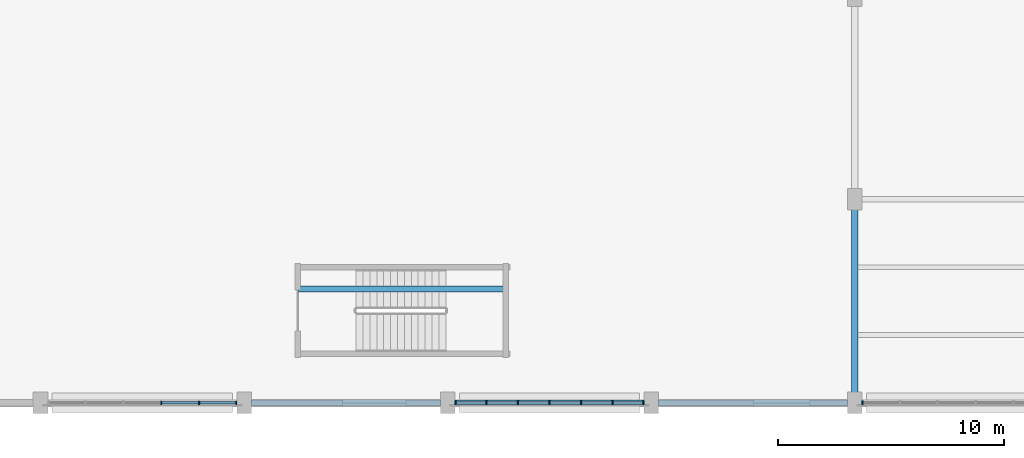
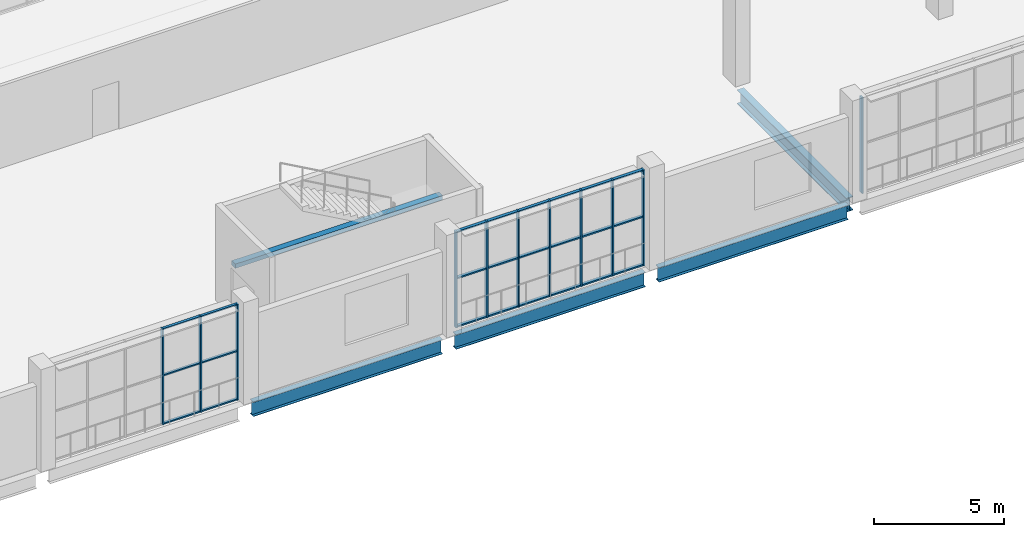
# One storey, part 5 of 179: 35 members, 5 beams, 3 elements without a shape of their own.
"""IFC4 building model written with IfcOpenShell, lengths in metres."""

from ifc_helpers import new_model, si_unit, direction, frame, origin, origin_2d, place, context, subcontext, project, spatial, rectangle, i_section, extrude, material, material_profile, profile_set, type_object, element, aggregate, save


model = new_model("IFC4")

# Units and contexts
model_context = context("Model", 3, precision=1e-05, world=origin(), true_north=direction((0.0, 1.0)))
body_context = subcontext(model_context, "Body", "Model", "MODEL_VIEW")
ifc_project = project(units=[si_unit("LENGTHUNIT", "METRE"), si_unit("AREAUNIT", "SQUARE_METRE"), si_unit("VOLUMEUNIT", "CUBIC_METRE"), si_unit("PLANEANGLEUNIT", "RADIAN"), si_unit("MASSUNIT", "GRAM", prefix="KILO")], contexts=[model_context])

# Site, building, storey
site_placement = place(None, origin())
site = spatial("IfcSite", under=ifc_project, at=site_placement, CompositionType="ELEMENT")
building_placement = place(site_placement, origin())
building = spatial("IfcBuilding", under=site, at=building_placement, Name="Zevraka Park Crest Stadium", CompositionType="ELEMENT")
storey_placement = place(building_placement, frame((0.0, 0.0, 10.199951171875)))
storey = spatial("IfcBuildingStorey", under=building, at=storey_placement, Name="L02", CompositionType="ELEMENT", Elevation=10.199951171875)

# Beams
ifc_material_1 = material(Name="Steel S355", Category="steel")
ifc_material_profile_1 = material_profile(ifc_material_1, i_section(OverallWidth=0.253662109375, OverallDepth=0.68359375, WebThickness=0.012451171875, FlangeThickness=0.01904296875, at=origin_2d()), Name="UKB 686x254x140")
ifc_profile_set_1 = profile_set([ifc_material_profile_1], Name="Steel S355")
beam_type_1 = type_object("IfcBeamType", Name="BG05", PredefinedType="BEAM", material=ifc_profile_set_1)
for number, where, z_axis, x_axis, name in (
    (1, (36.300048828125, 0.0, -0.629638671875), (1.0, 0.0, 0.0), (0.0, 1.0, 0.0), "Wing Girder BG05 L02-56/A"),
    (2, (45.300048828125, 0.0, -0.629638671875), (1.0, 0.0, 0.0), (0.0, 1.0, 0.0), "Wing Girder BG05 L02-67/A"),
    (3, (54.300048828125, 0.0, -0.629638671875), (1.0, 0.0, 0.0), (0.0, 1.0, 0.0), "Wing Girder BG05 L02-78/A"),
):
    element("IfcBeam", number, at=place(storey_placement, frame(where, z_axis=z_axis, x_axis=x_axis)), inside=storey, type_object=beam_type_1, Name=name, PredefinedType="BEAM", context=body_context, shape_type="SweptSolid", body=[
        extrude(i_section(OverallWidth=0.253662109375, OverallDepth=0.68359375, WebThickness=0.012451171875, FlangeThickness=0.01904296875, at=origin_2d()), origin(), (0.0, 0.0, 1.0), 8.39990234375),
    ])
ifc_material_2 = material(Name="Steel S355", Category="steel")
ifc_material_profile_2 = material_profile(ifc_material_2, i_section(OverallWidth=0.300048828125, OverallDepth=0.64990234375, WebThickness=0.01611328125, FlangeThickness=0.031005859375, at=origin_2d()), Name="HEB 650")
ifc_profile_set_2 = profile_set([ifc_material_profile_2], Name="Steel S355")
beam_type_2 = type_object("IfcBeamType", Name="BG07", PredefinedType="BEAM", material=ifc_profile_set_2)
beam_1_placement = place(storey_placement, frame((63.0, 0.300048828125, -0.613037109375), z_axis=(0.0, 1.0, 0.0), x_axis=(-1.0, 0.0, 0.0)))
element("IfcBeam", 4, at=beam_1_placement, inside=storey, type_object=beam_type_2, Name="Wing Girder BG07 L02-8/AB", PredefinedType="BEAM", context=body_context, shape_type="SweptSolid", body=[
    extrude(i_section(OverallWidth=0.300048828125, OverallDepth=0.64990234375, WebThickness=0.01611328125, FlangeThickness=0.031005859375, at=origin_2d()), origin(), (0.0, 0.0, 1.0), 8.39990234375),
])

# Curtain wall, members
ifc_material_3 = material(Name="Anodised architectural aluminium and laminated safety glass", Category="aluminium")
curtain_wall_type_1 = type_object("IfcCurtainWallType", Name="CW28", PredefinedType="NOTDEFINED", material=ifc_material_3)
curtain_wall_1_placement = place(storey_placement, origin())
curtain_wall_1 = element("IfcCurtainWall", 5, at=curtain_wall_1_placement, inside=storey, type_object=curtain_wall_type_1, Name="Wing Curtain Wall CW28 L02-SW-S1-6", PredefinedType="NOTDEFINED")
ifc_material_4 = material(Name="Anodised architectural aluminium", Category="aluminium")
ifc_material_profile_3 = material_profile(ifc_material_4, rectangle(XDim=0.159912109375, YDim=0.06005859375, at=origin_2d()), Name="ALU MULLION 160x60")
ifc_profile_set_3 = profile_set([ifc_material_profile_3], Name="Anodised architectural aluminium")
member_type_1 = type_object("IfcMemberType", Name="CM01", PredefinedType="MULLION", material=ifc_profile_set_3)
member_1_placement = place(storey_placement, frame((35.655029296875, 0.0, 0.0), z_axis=(0.0, 0.0, 1.0), x_axis=(0.0, -1.0, 0.0)))
member_1 = element("IfcMember", 6, at=member_1_placement, type_object=member_type_1, Name="CW28 mullion 1", PredefinedType="MULLION", context=body_context, shape_type="SweptSolid", body=[
    extrude(rectangle(XDim=0.159912109375, YDim=0.06005859375, at=origin_2d()), origin(), (0.0, 0.0, 1.0), 4.5),
])
member_2_placement = place(storey_placement, frame((34.010986328125, 0.0, 0.0), z_axis=(0.0, 0.0, 1.0), x_axis=(0.0, -1.0, 0.0)))
member_2 = element("IfcMember", 7, at=member_2_placement, type_object=member_type_1, Name="CW28 mullion 2", PredefinedType="MULLION", context=body_context, shape_type="SweptSolid", body=[
    extrude(rectangle(XDim=0.159912109375, YDim=0.06005859375, at=origin_2d()), origin(), (0.0, 0.0, 1.0), 4.5),
])
member_3_placement = place(storey_placement, frame((32.3369140625, 0.0, 0.0), z_axis=(0.0, 0.0, 1.0), x_axis=(0.0, -1.0, 0.0)))
member_3 = element("IfcMember", 8, at=member_3_placement, type_object=member_type_1, Name="CW28 mullion 3", PredefinedType="MULLION", context=body_context, shape_type="SweptSolid", body=[
    extrude(rectangle(XDim=0.159912109375, YDim=0.06005859375, at=origin_2d()), origin(), (0.0, 0.0, 1.0), 4.5),
])

# Curtain wall, member
ifc_material_5 = material(Name="Anodised architectural aluminium and laminated safety glass", Category="aluminium")
curtain_wall_type_2 = type_object("IfcCurtainWallType", Name="CW29", PredefinedType="NOTDEFINED", material=ifc_material_5)
curtain_wall_2_placement = place(storey_placement, origin())
curtain_wall_2 = element("IfcCurtainWall", 9, at=curtain_wall_2_placement, inside=storey, type_object=curtain_wall_type_2, Name="Wing Curtain Wall CW29 L02-SW-S1-2", PredefinedType="NOTDEFINED")
ifc_material_6 = material(Name="Anodised architectural aluminium", Category="aluminium")
ifc_material_profile_4 = material_profile(ifc_material_6, rectangle(XDim=0.179931640625, YDim=0.06494140625, at=origin_2d()), Name="ALU MULLION 180x65")
ifc_profile_set_4 = profile_set([ifc_material_profile_4], Name="Anodised architectural aluminium")
member_type_2 = type_object("IfcMemberType", Name="CM02", PredefinedType="MULLION", material=ifc_profile_set_4)
member_4_placement = place(storey_placement, frame((63.347412109375, 0.0, 0.0), z_axis=(0.0, 0.0, 1.0), x_axis=(0.0, -1.0, 0.0)))
member_4 = element("IfcMember", 10, at=member_4_placement, type_object=member_type_2, Name="CW29 mullion 6", PredefinedType="MULLION", context=body_context, shape_type="SweptSolid", body=[
    extrude(rectangle(XDim=0.179931640625, YDim=0.06494140625, at=origin_2d()), origin(), (0.0, 0.0, 1.0), 4.5),
])
aggregate(curtain_wall_2, [member_4])

# Curtain wall, members
ifc_material_7 = material(Name="Anodised architectural aluminium and laminated safety glass", Category="aluminium")
curtain_wall_type_3 = type_object("IfcCurtainWallType", Name="CW26", PredefinedType="NOTDEFINED", material=ifc_material_7)
curtain_wall_3_placement = place(storey_placement, origin())
curtain_wall_3 = element("IfcCurtainWall", 11, at=curtain_wall_3_placement, inside=storey, type_object=curtain_wall_type_3, Name="Wing Curtain Wall CW26 L02-SW-S1-4", PredefinedType="NOTDEFINED")
member_5_placement = place(storey_placement, frame((53.652587890625, 0.0, 0.0), z_axis=(0.0, 0.0, 1.0), x_axis=(0.0, -1.0, 0.0)))
member_5 = element("IfcMember", 12, at=member_5_placement, type_object=member_type_2, Name="CW26 mullion 1", PredefinedType="MULLION", context=body_context, shape_type="SweptSolid", body=[
    extrude(rectangle(XDim=0.179931640625, YDim=0.06494140625, at=origin_2d()), origin(), (0.0, 0.0, 1.0), 4.5),
])
member_6_placement = place(storey_placement, frame((52.2900390625, 0.0, 0.0), z_axis=(0.0, 0.0, 1.0), x_axis=(0.0, -1.0, 0.0)))
member_6 = element("IfcMember", 13, at=member_6_placement, type_object=member_type_2, Name="CW26 mullion 2", PredefinedType="MULLION", context=body_context, shape_type="SweptSolid", body=[
    extrude(rectangle(XDim=0.179931640625, YDim=0.06494140625, at=origin_2d()), origin(), (0.0, 0.0, 1.0), 4.5),
])
member_7_placement = place(storey_placement, frame((50.89501953125, 0.0, 0.0), z_axis=(0.0, 0.0, 1.0), x_axis=(0.0, -1.0, 0.0)))
member_7 = element("IfcMember", 14, at=member_7_placement, type_object=member_type_2, Name="CW26 mullion 3", PredefinedType="MULLION", context=body_context, shape_type="SweptSolid", body=[
    extrude(rectangle(XDim=0.179931640625, YDim=0.06494140625, at=origin_2d()), origin(), (0.0, 0.0, 1.0), 4.5),
])
member_8_placement = place(storey_placement, frame((49.5, 0.0, 0.0), z_axis=(0.0, 0.0, 1.0), x_axis=(0.0, -1.0, 0.0)))
member_8 = element("IfcMember", 15, at=member_8_placement, type_object=member_type_2, Name="CW26 mullion 4", PredefinedType="MULLION", context=body_context, shape_type="SweptSolid", body=[
    extrude(rectangle(XDim=0.179931640625, YDim=0.06494140625, at=origin_2d()), origin(), (0.0, 0.0, 1.0), 4.5),
])
member_9_placement = place(storey_placement, frame((48.10498046875, 0.0, 0.0), z_axis=(0.0, 0.0, 1.0), x_axis=(0.0, -1.0, 0.0)))
member_9 = element("IfcMember", 16, at=member_9_placement, type_object=member_type_2, Name="CW26 mullion 5", PredefinedType="MULLION", context=body_context, shape_type="SweptSolid", body=[
    extrude(rectangle(XDim=0.179931640625, YDim=0.06494140625, at=origin_2d()), origin(), (0.0, 0.0, 1.0), 4.5),
])
member_10_placement = place(storey_placement, frame((46.7099609375, 0.0, 0.0), z_axis=(0.0, 0.0, 1.0), x_axis=(0.0, -1.0, 0.0)))
member_10 = element("IfcMember", 17, at=member_10_placement, type_object=member_type_2, Name="CW26 mullion 6", PredefinedType="MULLION", context=body_context, shape_type="SweptSolid", body=[
    extrude(rectangle(XDim=0.179931640625, YDim=0.06494140625, at=origin_2d()), origin(), (0.0, 0.0, 1.0), 4.5),
])
member_11_placement = place(storey_placement, frame((45.347412109375, 0.0, 0.0), z_axis=(0.0, 0.0, 1.0), x_axis=(0.0, -1.0, 0.0)))
member_11 = element("IfcMember", 18, at=member_11_placement, type_object=member_type_2, Name="CW26 mullion 7", PredefinedType="MULLION", context=body_context, shape_type="SweptSolid", body=[
    extrude(rectangle(XDim=0.179931640625, YDim=0.06494140625, at=origin_2d()), origin(), (0.0, 0.0, 1.0), 4.5),
])

# Member
ifc_material_8 = material(Name="Anodised architectural aluminium", Category="aluminium")
ifc_material_profile_5 = material_profile(ifc_material_8, rectangle(XDim=0.1201171875, YDim=0.06005859375, at=origin_2d()), Name="ALU TRANSOM 120x60")
ifc_profile_set_5 = profile_set([ifc_material_profile_5], Name="Anodised architectural aluminium")
member_type_3 = type_object("IfcMemberType", Name="CT01", PredefinedType="USERDEFINED", material=ifc_profile_set_5)
member_12_placement = place(storey_placement, frame((35.625, 0.0, 0.030029296875), z_axis=(-1.0, 0.0, 0.0), x_axis=(0.0, -1.0, 0.0)))
member_12 = element("IfcMember", 19, at=member_12_placement, type_object=member_type_3, Name="CW28 transom 1.1", ObjectType="TRANSOM", PredefinedType="USERDEFINED", context=body_context, shape_type="SweptSolid", body=[
    extrude(rectangle(XDim=0.1201171875, YDim=0.06005859375, at=origin_2d()), origin(), (0.0, 0.0, 1.0), 1.583984375),
])

member_13_placement = place(storey_placement, frame((35.625, 0.0, 2.300048828125), z_axis=(-1.0, 0.0, 0.0), x_axis=(0.0, -1.0, 0.0)))
member_13 = element("IfcMember", 20, at=member_13_placement, type_object=member_type_3, Name="CW28 transom 1.2", ObjectType="TRANSOM", PredefinedType="USERDEFINED", context=body_context, shape_type="SweptSolid", body=[
    extrude(rectangle(XDim=0.1201171875, YDim=0.06005859375, at=origin_2d()), origin(), (0.0, 0.0, 1.0), 1.583984375),
])

member_14_placement = place(storey_placement, frame((35.625, 0.0, 4.469970703125), z_axis=(-1.0, 0.0, 0.0), x_axis=(0.0, -1.0, 0.0)))
member_14 = element("IfcMember", 21, at=member_14_placement, type_object=member_type_3, Name="CW28 transom 1.3", ObjectType="TRANSOM", PredefinedType="USERDEFINED", context=body_context, shape_type="SweptSolid", body=[
    extrude(rectangle(XDim=0.1201171875, YDim=0.06005859375, at=origin_2d()), origin(), (0.0, 0.0, 1.0), 1.583984375),
])

member_15_placement = place(storey_placement, frame((33.98095703125, 0.0, 0.030029296875), z_axis=(-1.0, 0.0, 0.0), x_axis=(0.0, -1.0, 0.0)))
member_15 = element("IfcMember", 22, at=member_15_placement, type_object=member_type_3, Name="CW28 transom 2.1", ObjectType="TRANSOM", PredefinedType="USERDEFINED", context=body_context, shape_type="SweptSolid", body=[
    extrude(rectangle(XDim=0.1201171875, YDim=0.06005859375, at=origin_2d()), origin(), (0.0, 0.0, 1.0), 1.614013671875),
])

member_16_placement = place(storey_placement, frame((33.98095703125, 0.0, 2.300048828125), z_axis=(-1.0, 0.0, 0.0), x_axis=(0.0, -1.0, 0.0)))
member_16 = element("IfcMember", 23, at=member_16_placement, type_object=member_type_3, Name="CW28 transom 2.2", ObjectType="TRANSOM", PredefinedType="USERDEFINED", context=body_context, shape_type="SweptSolid", body=[
    extrude(rectangle(XDim=0.1201171875, YDim=0.06005859375, at=origin_2d()), origin(), (0.0, 0.0, 1.0), 1.614013671875),
])

member_17_placement = place(storey_placement, frame((33.98095703125, 0.0, 4.469970703125), z_axis=(-1.0, 0.0, 0.0), x_axis=(0.0, -1.0, 0.0)))
member_17 = element("IfcMember", 24, at=member_17_placement, type_object=member_type_3, Name="CW28 transom 2.3", ObjectType="TRANSOM", PredefinedType="USERDEFINED", context=body_context, shape_type="SweptSolid", body=[
    extrude(rectangle(XDim=0.1201171875, YDim=0.06005859375, at=origin_2d()), origin(), (0.0, 0.0, 1.0), 1.614013671875),
])

aggregate(curtain_wall_1, [member_1, member_2, member_3, member_12, member_13, member_14, member_15, member_16, member_17])

ifc_material_9 = material(Name="Anodised architectural aluminium", Category="aluminium")
ifc_material_profile_6 = material_profile(ifc_material_9, rectangle(XDim=0.139892578125, YDim=0.06494140625, at=origin_2d()), Name="ALU TRANSOM 140x65")
ifc_profile_set_6 = profile_set([ifc_material_profile_6], Name="Anodised architectural aluminium")
member_type_4 = type_object("IfcMemberType", Name="CT02", PredefinedType="USERDEFINED", material=ifc_profile_set_6)
member_18_placement = place(storey_placement, frame((53.6201171875, 0.0, 0.032470703125), z_axis=(-1.0, 0.0, 0.0), x_axis=(0.0, -1.0, 0.0)))
member_18 = element("IfcMember", 25, at=member_18_placement, type_object=member_type_4, Name="CW26 transom 1.1", ObjectType="TRANSOM", PredefinedType="USERDEFINED", context=body_context, shape_type="SweptSolid", body=[
    extrude(rectangle(XDim=0.139892578125, YDim=0.06494140625, at=origin_2d()), origin(), (0.0, 0.0, 1.0), 1.297607421875),
])

member_19_placement = place(storey_placement, frame((53.6201171875, 0.0, 2.300048828125), z_axis=(-1.0, 0.0, 0.0), x_axis=(0.0, -1.0, 0.0)))
member_19 = element("IfcMember", 26, at=member_19_placement, type_object=member_type_4, Name="CW26 transom 1.2", ObjectType="TRANSOM", PredefinedType="USERDEFINED", context=body_context, shape_type="SweptSolid", body=[
    extrude(rectangle(XDim=0.139892578125, YDim=0.06494140625, at=origin_2d()), origin(), (0.0, 0.0, 1.0), 1.297607421875),
])

member_20_placement = place(storey_placement, frame((53.6201171875, 0.0, 4.467529296875), z_axis=(-1.0, 0.0, 0.0), x_axis=(0.0, -1.0, 0.0)))
member_20 = element("IfcMember", 27, at=member_20_placement, type_object=member_type_4, Name="CW26 transom 1.3", ObjectType="TRANSOM", PredefinedType="USERDEFINED", context=body_context, shape_type="SweptSolid", body=[
    extrude(rectangle(XDim=0.139892578125, YDim=0.06494140625, at=origin_2d()), origin(), (0.0, 0.0, 1.0), 1.297607421875),
])

member_21_placement = place(storey_placement, frame((52.257568359375, 0.0, 0.032470703125), z_axis=(-1.0, 0.0, 0.0), x_axis=(0.0, -1.0, 0.0)))
member_21 = element("IfcMember", 28, at=member_21_placement, type_object=member_type_4, Name="CW26 transom 2.1", ObjectType="TRANSOM", PredefinedType="USERDEFINED", context=body_context, shape_type="SweptSolid", body=[
    extrude(rectangle(XDim=0.139892578125, YDim=0.06494140625, at=origin_2d()), origin(), (0.0, 0.0, 1.0), 1.330078125),
])

member_22_placement = place(storey_placement, frame((52.257568359375, 0.0, 2.300048828125), z_axis=(-1.0, 0.0, 0.0), x_axis=(0.0, -1.0, 0.0)))
member_22 = element("IfcMember", 29, at=member_22_placement, type_object=member_type_4, Name="CW26 transom 2.2", ObjectType="TRANSOM", PredefinedType="USERDEFINED", context=body_context, shape_type="SweptSolid", body=[
    extrude(rectangle(XDim=0.139892578125, YDim=0.06494140625, at=origin_2d()), origin(), (0.0, 0.0, 1.0), 1.330078125),
])

member_23_placement = place(storey_placement, frame((52.257568359375, 0.0, 4.467529296875), z_axis=(-1.0, 0.0, 0.0), x_axis=(0.0, -1.0, 0.0)))
member_23 = element("IfcMember", 30, at=member_23_placement, type_object=member_type_4, Name="CW26 transom 2.3", ObjectType="TRANSOM", PredefinedType="USERDEFINED", context=body_context, shape_type="SweptSolid", body=[
    extrude(rectangle(XDim=0.139892578125, YDim=0.06494140625, at=origin_2d()), origin(), (0.0, 0.0, 1.0), 1.330078125),
])

member_24_placement = place(storey_placement, frame((50.862548828125, 0.0, 0.032470703125), z_axis=(-1.0, 0.0, 0.0), x_axis=(0.0, -1.0, 0.0)))
member_24 = element("IfcMember", 31, at=member_24_placement, type_object=member_type_4, Name="CW26 transom 3.1", ObjectType="TRANSOM", PredefinedType="USERDEFINED", context=body_context, shape_type="SweptSolid", body=[
    extrude(rectangle(XDim=0.139892578125, YDim=0.06494140625, at=origin_2d()), origin(), (0.0, 0.0, 1.0), 1.330078125),
])

member_25_placement = place(storey_placement, frame((50.862548828125, 0.0, 2.300048828125), z_axis=(-1.0, 0.0, 0.0), x_axis=(0.0, -1.0, 0.0)))
member_25 = element("IfcMember", 32, at=member_25_placement, type_object=member_type_4, Name="CW26 transom 3.2", ObjectType="TRANSOM", PredefinedType="USERDEFINED", context=body_context, shape_type="SweptSolid", body=[
    extrude(rectangle(XDim=0.139892578125, YDim=0.06494140625, at=origin_2d()), origin(), (0.0, 0.0, 1.0), 1.330078125),
])

member_26_placement = place(storey_placement, frame((50.862548828125, 0.0, 4.467529296875), z_axis=(-1.0, 0.0, 0.0), x_axis=(0.0, -1.0, 0.0)))
member_26 = element("IfcMember", 33, at=member_26_placement, type_object=member_type_4, Name="CW26 transom 3.3", ObjectType="TRANSOM", PredefinedType="USERDEFINED", context=body_context, shape_type="SweptSolid", body=[
    extrude(rectangle(XDim=0.139892578125, YDim=0.06494140625, at=origin_2d()), origin(), (0.0, 0.0, 1.0), 1.330078125),
])

member_27_placement = place(storey_placement, frame((49.467529296875, 0.0, 0.032470703125), z_axis=(-1.0, 0.0, 0.0), x_axis=(0.0, -1.0, 0.0)))
member_27 = element("IfcMember", 34, at=member_27_placement, type_object=member_type_4, Name="CW26 transom 4.1", ObjectType="TRANSOM", PredefinedType="USERDEFINED", context=body_context, shape_type="SweptSolid", body=[
    extrude(rectangle(XDim=0.139892578125, YDim=0.06494140625, at=origin_2d()), origin(), (0.0, 0.0, 1.0), 1.330078125),
])

member_28_placement = place(storey_placement, frame((49.467529296875, 0.0, 2.300048828125), z_axis=(-1.0, 0.0, 0.0), x_axis=(0.0, -1.0, 0.0)))
member_28 = element("IfcMember", 35, at=member_28_placement, type_object=member_type_4, Name="CW26 transom 4.2", ObjectType="TRANSOM", PredefinedType="USERDEFINED", context=body_context, shape_type="SweptSolid", body=[
    extrude(rectangle(XDim=0.139892578125, YDim=0.06494140625, at=origin_2d()), origin(), (0.0, 0.0, 1.0), 1.330078125),
])

member_29_placement = place(storey_placement, frame((49.467529296875, 0.0, 4.467529296875), z_axis=(-1.0, 0.0, 0.0), x_axis=(0.0, -1.0, 0.0)))
member_29 = element("IfcMember", 36, at=member_29_placement, type_object=member_type_4, Name="CW26 transom 4.3", ObjectType="TRANSOM", PredefinedType="USERDEFINED", context=body_context, shape_type="SweptSolid", body=[
    extrude(rectangle(XDim=0.139892578125, YDim=0.06494140625, at=origin_2d()), origin(), (0.0, 0.0, 1.0), 1.330078125),
])

member_30_placement = place(storey_placement, frame((48.072509765625, 0.0, 0.032470703125), z_axis=(-1.0, 0.0, 0.0), x_axis=(0.0, -1.0, 0.0)))
member_30 = element("IfcMember", 37, at=member_30_placement, type_object=member_type_4, Name="CW26 transom 5.1", ObjectType="TRANSOM", PredefinedType="USERDEFINED", context=body_context, shape_type="SweptSolid", body=[
    extrude(rectangle(XDim=0.139892578125, YDim=0.06494140625, at=origin_2d()), origin(), (0.0, 0.0, 1.0), 1.330078125),
])

member_31_placement = place(storey_placement, frame((48.072509765625, 0.0, 2.300048828125), z_axis=(-1.0, 0.0, 0.0), x_axis=(0.0, -1.0, 0.0)))
member_31 = element("IfcMember", 38, at=member_31_placement, type_object=member_type_4, Name="CW26 transom 5.2", ObjectType="TRANSOM", PredefinedType="USERDEFINED", context=body_context, shape_type="SweptSolid", body=[
    extrude(rectangle(XDim=0.139892578125, YDim=0.06494140625, at=origin_2d()), origin(), (0.0, 0.0, 1.0), 1.330078125),
])

member_32_placement = place(storey_placement, frame((48.072509765625, 0.0, 4.467529296875), z_axis=(-1.0, 0.0, 0.0), x_axis=(0.0, -1.0, 0.0)))
member_32 = element("IfcMember", 39, at=member_32_placement, type_object=member_type_4, Name="CW26 transom 5.3", ObjectType="TRANSOM", PredefinedType="USERDEFINED", context=body_context, shape_type="SweptSolid", body=[
    extrude(rectangle(XDim=0.139892578125, YDim=0.06494140625, at=origin_2d()), origin(), (0.0, 0.0, 1.0), 1.330078125),
])

member_33_placement = place(storey_placement, frame((46.677490234375, 0.0, 0.032470703125), z_axis=(-1.0, 0.0, 0.0), x_axis=(0.0, -1.0, 0.0)))
member_33 = element("IfcMember", 40, at=member_33_placement, type_object=member_type_4, Name="CW26 transom 6.1", ObjectType="TRANSOM", PredefinedType="USERDEFINED", context=body_context, shape_type="SweptSolid", body=[
    extrude(rectangle(XDim=0.139892578125, YDim=0.06494140625, at=origin_2d()), origin(), (0.0, 0.0, 1.0), 1.297607421875),
])

member_34_placement = place(storey_placement, frame((46.677490234375, 0.0, 2.300048828125), z_axis=(-1.0, 0.0, 0.0), x_axis=(0.0, -1.0, 0.0)))
member_34 = element("IfcMember", 41, at=member_34_placement, type_object=member_type_4, Name="CW26 transom 6.2", ObjectType="TRANSOM", PredefinedType="USERDEFINED", context=body_context, shape_type="SweptSolid", body=[
    extrude(rectangle(XDim=0.139892578125, YDim=0.06494140625, at=origin_2d()), origin(), (0.0, 0.0, 1.0), 1.297607421875),
])

member_35_placement = place(storey_placement, frame((46.677490234375, 0.0, 4.467529296875), z_axis=(-1.0, 0.0, 0.0), x_axis=(0.0, -1.0, 0.0)))
member_35 = element("IfcMember", 42, at=member_35_placement, type_object=member_type_4, Name="CW26 transom 6.3", ObjectType="TRANSOM", PredefinedType="USERDEFINED", context=body_context, shape_type="SweptSolid", body=[
    extrude(rectangle(XDim=0.139892578125, YDim=0.06494140625, at=origin_2d()), origin(), (0.0, 0.0, 1.0), 1.297607421875),
])

aggregate(curtain_wall_3, [member_5, member_6, member_7, member_8, member_9, member_10, member_11, member_18, member_19, member_20, member_21, member_22, member_23, member_24, member_25, member_26, member_27, member_28, member_29, member_30, member_31, member_32, member_33, member_34, member_35])

# Beam
ifc_material_10 = material(Name="Concrete C40/50", Category="concrete")
ifc_material_profile_7 = material_profile(ifc_material_10, rectangle(XDim=0.280029296875, YDim=0.199951171875, at=origin_2d()), Name="RC 200x280")
ifc_profile_set_7 = profile_set([ifc_material_profile_7], Name="Concrete C40/50")
beam_type_3 = type_object("IfcBeamType", Name="SJ13", PredefinedType="JOIST", material=ifc_profile_set_7)
beam_2_placement = place(storey_placement, frame((38.39990234375, 5.034912109375, 2.300048828125), z_axis=(1.0, 0.0, 0.0), x_axis=(0.0, 1.0, 0.0)))
element("IfcBeam", 43, at=beam_2_placement, inside=storey, type_object=beam_type_3, Name="Stair Upper-Flight Longitudinal Stringer SJ13 ST52-L02", PredefinedType="JOIST", context=body_context, shape_type="SweptSolid", body=[
    extrude(rectangle(XDim=0.280029296875, YDim=0.199951171875, at=origin_2d()), origin(), (0.0, 0.0, 1.0), 9.2001953125),
])

save(model, "model.ifc")
